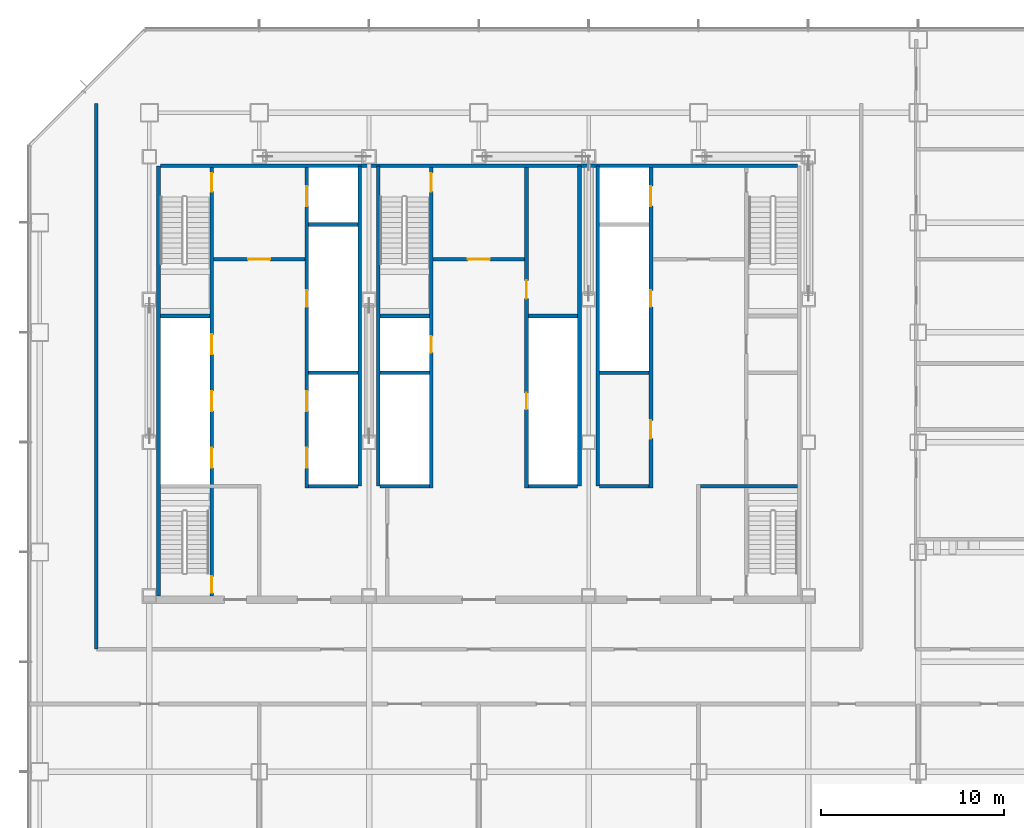
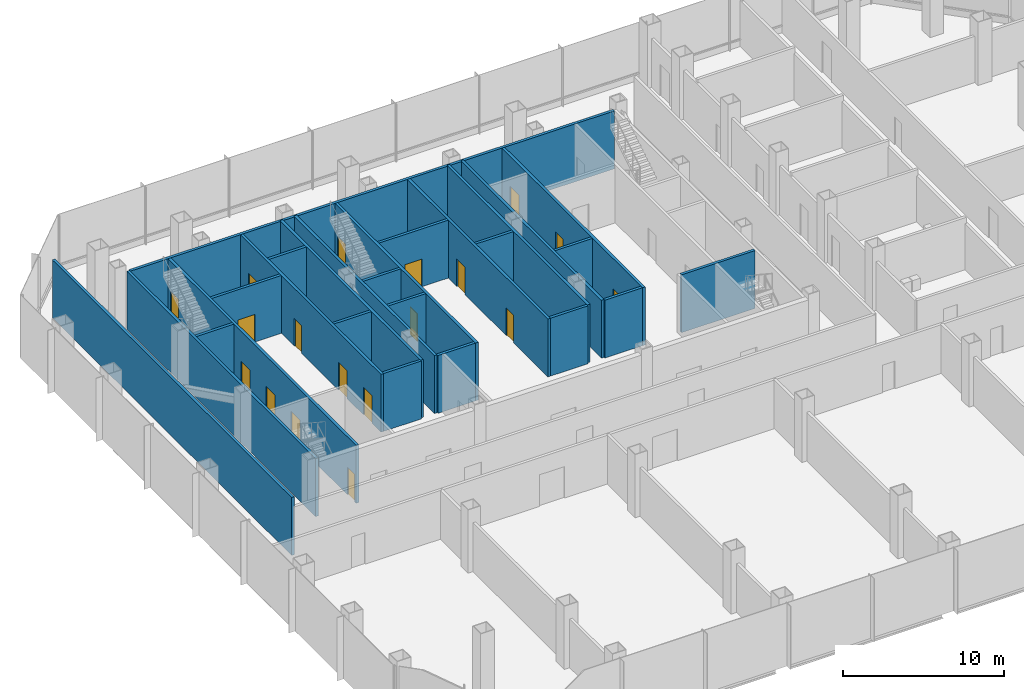
# One storey, part 24 of 33: 26 walls, 18 doors, 18 openings.
"""IFC4 building model written with IfcOpenShell, lengths in metres."""

import ifcopenshell
import ifcopenshell.guid

model = None  # the IFC model being written
_history = None  # IfcOwnerHistory: only IFC2X3 demands one
_inside = {}  # id of a spatial element -> (the spatial element, [elements in it])
_under = {}  # id of a project, library or spatial element -> (it, [spatial elements below it])
_declared = {}  # id of a project -> (the project, [libraries it declares])
_typed = {}  # id of a type object -> (the type object, [elements of that type])
_made_of = {}  # id of a material, layer set ... -> (it, [elements and type objects made of it])


def new_model(schema):
    """Start an empty IFC model of exactly this schema.

    Asked for "IFC4X3", IfcOpenShell would pick the latest addendum, in which some entities
    have other attributes; the version numbers below select the first issue.
    IFC2X3 requires an IfcOwnerHistory on every rooted entity: one is made here for all.
    """
    global model, _history
    if schema == "IFC4X3":
        model = ifcopenshell.file(schema_version=(4, 3, 0, 0))
    else:
        model = ifcopenshell.file(schema=schema)
    _inside.clear()
    _under.clear()
    _declared.clear()
    _typed.clear()
    _made_of.clear()
    _history = None
    if model.schema == "IFC2X3":
        org = make("IfcOrganization", Name="unknown")
        user = make(
            "IfcPersonAndOrganization",
            ThePerson=make("IfcPerson", FamilyName="unknown"),
            TheOrganization=org,
        )
        app = make(
            "IfcApplication",
            ApplicationDeveloper=org,
            Version="unknown",
            ApplicationFullName="unknown",
            ApplicationIdentifier="unknown",
        )
        _history = make(
            "IfcOwnerHistory",
            OwningUser=user,
            OwningApplication=app,
            ChangeAction="ADDED",
            CreationDate=0,
        )
    return model


def make(cls, **values):
    """One entity of the class cls with the attributes given. An attribute that is None is left unset."""
    return model.create_entity(
        cls, **{name: value for name, value in values.items() if value is not None}
    )


def rooted(cls, **values):
    """An entity with a GlobalId (a new one), such as an element, a storey or a relation."""
    return make(cls, GlobalId=ifcopenshell.guid.new(), OwnerHistory=_history, **values)


def si_unit(unit_type, name, prefix=None):
    """IfcSIUnit, for example si_unit("LENGTHUNIT", "METRE", prefix="MILLI")."""
    return make("IfcSIUnit", UnitType=unit_type, Prefix=prefix, Name=name)


def assignment(units):
    """IfcUnitAssignment: the units of a project."""
    return None if units is None else make("IfcUnitAssignment", Units=units)


def point(xyz):
    """IfcCartesianPoint."""
    return None if xyz is None else make("IfcCartesianPoint", Coordinates=xyz)


def direction(xyz):
    """IfcDirection."""
    return None if xyz is None else make("IfcDirection", DirectionRatios=xyz)


def frame(location, z_axis=None, x_axis=None):
    """IfcAxis2Placement3D, a coordinate frame: its origin and axes. An axis left out is left unset."""
    return make(
        "IfcAxis2Placement3D",
        Location=point(location),
        Axis=direction(z_axis),
        RefDirection=direction(x_axis),
    )


def frame_2d(location, x_axis=None):
    """IfcAxis2Placement2D, a coordinate frame in the plane: its origin and x axis."""
    return make(
        "IfcAxis2Placement2D", Location=point(location), RefDirection=direction(x_axis)
    )


def origin():
    """The frame at (0, 0, 0) with its axes left unset."""
    return frame((0.0, 0.0, 0.0))


def place(relative_to, where):
    """IfcLocalPlacement: puts the frame where relative to a parent placement (None: the world)."""
    return make(
        "IfcLocalPlacement", PlacementRelTo=relative_to, RelativePlacement=where
    )


def context(
    kind, dimensions, precision=None, world=None, true_north=None, identifier=None
):
    """IfcGeometricRepresentationContext, for example the 3D "Model" context."""
    return make(
        "IfcGeometricRepresentationContext",
        ContextIdentifier=identifier,
        ContextType=kind,
        CoordinateSpaceDimension=dimensions,
        Precision=precision,
        WorldCoordinateSystem=world,
        TrueNorth=true_north,
    )


def subcontext(parent, identifier, kind, view, scale=None):
    """IfcGeometricRepresentationSubContext, for example "Body" below "Model"."""
    return make(
        "IfcGeometricRepresentationSubContext",
        ContextIdentifier=identifier,
        ContextType=kind,
        ParentContext=parent,
        TargetScale=scale,
        TargetView=view,
    )


def project(units=None, contexts=None):
    """IfcProject with its units and contexts."""
    return rooted(
        "IfcProject",
        Name="project",
        RepresentationContexts=contexts,
        UnitsInContext=assignment(units),
    )


def spatial(cls, under=None, at=None, **own):
    """A site, building, storey or space (cls), placed at a placement, below another one or the project."""
    s = rooted(cls, ObjectPlacement=at, **own)
    if under is not None:
        _under.setdefault(under.id(), (under, []))[1].append(s)
    return s


def profile(cls, at=None, kind="AREA", **sizes):
    """A parametric profile (cls). Its sizes go by their IFC names, for example OverallWidth=200.0."""
    return make(cls, ProfileType=kind, Position=at, **sizes)


def rectangle(**sizes):
    """IfcRectangleProfileDef."""
    return profile("IfcRectangleProfileDef", **sizes)


def extrude(swept, where, along, depth):
    """IfcExtrudedAreaSolid: the profile swept, set in the frame where, extruded along a direction by depth."""
    return make(
        "IfcExtrudedAreaSolid",
        SweptArea=swept,
        Position=where,
        ExtrudedDirection=direction(along),
        Depth=depth,
    )


def shape(context_of_items, identifier, shape_type, items):
    """IfcShapeRepresentation: the items that make up one representation, for example the "Body"."""
    return make(
        "IfcShapeRepresentation",
        ContextOfItems=context_of_items,
        RepresentationIdentifier=identifier,
        RepresentationType=shape_type,
        Items=items,
    )


def material(Name=None, Category=None):
    """IfcMaterial."""
    return make("IfcMaterial", Name=Name, Category=Category)


def layer(
    of_material, thickness, ventilated=None, Name=None, Category=None, Priority=None
):
    """IfcMaterialLayer: one layer of a wall or slab, of a material (None: an air gap)."""
    return make(
        "IfcMaterialLayer",
        Material=of_material,
        LayerThickness=thickness,
        IsVentilated=ventilated,
        Name=Name,
        Category=Category,
        Priority=Priority,
    )


def layer_set(layers, Name=None):
    """IfcMaterialLayerSet."""
    return make("IfcMaterialLayerSet", MaterialLayers=layers, LayerSetName=Name)


def made_of(thing, what):
    """Note that an element or type object is made of a material, layer set ...; save() writes the relation."""
    if what is not None:
        _made_of.setdefault(what.id(), (what, []))[1].append(thing)
    return thing


def type_object(cls, material=None, **own):
    """A type object (cls), such as IfcWallType, which elements share."""
    return made_of(rooted(cls, **own), material)


def element(
    cls,
    number,
    at=None,
    inside=None,
    cuts=None,
    type_object=None,
    material=None,
    context=None,
    identifier="Body",
    shape_type=None,
    held_by="IfcProductDefinitionShape",
    body=None,
    shapes=None,
    **own,
):
    """One element of the class cls, such as IfcWall. Its Tag is "e" and its number.

    at: its placement. inside: the storey or other place that contains it. cuts: it is an
    opening in that element (IfcRelVoidsElement). A single representation is given by context,
    identifier, shape_type and body (its items); several are given by shapes. held_by: the class
    of the entity that holds the representations. save() writes the other relations.
    """
    e = rooted(cls, Tag="e%d" % number, ObjectPlacement=at, **own)
    if body is not None:
        shapes = [shape(context, identifier, shape_type, body)]
    if shapes is not None:
        e.Representation = make(held_by, Representations=shapes)
    if inside is not None:
        _inside.setdefault(inside.id(), (inside, []))[1].append(e)
    if cuts is not None:
        rooted(
            "IfcRelVoidsElement", RelatingBuildingElement=cuts, RelatedOpeningElement=e
        )
    if type_object is not None:
        _typed.setdefault(type_object.id(), (type_object, []))[1].append(e)
    return made_of(e, material)


def fill(opening, filler):
    """IfcRelFillsElement: the door or window that sits in an opening."""
    return rooted(
        "IfcRelFillsElement",
        RelatingOpeningElement=opening,
        RelatedBuildingElement=filler,
    )


def aggregate(whole, parts):
    """IfcRelAggregates: a whole, such as a stair, and the parts it consists of."""
    return rooted("IfcRelAggregates", RelatingObject=whole, RelatedObjects=parts)


def save(model, path):
    """Write the relations noted so far, then the file.

    IfcRelAggregates (storeys below a building ...), IfcRelContainedInSpatialStructure (elements
    in a storey), IfcRelDefinesByType, IfcRelAssociatesMaterial and IfcRelDeclares: one each for
    every whole, place, type object, material and project.
    """
    for whole, parts in _under.values():
        aggregate(whole, parts)
    for where, things in _inside.values():
        rooted(
            "IfcRelContainedInSpatialStructure",
            RelatedElements=things,
            RelatingStructure=where,
        )
    for kind, things in _typed.values():
        rooted("IfcRelDefinesByType", RelatedObjects=things, RelatingType=kind)
    for what, things in _made_of.values():
        rooted("IfcRelAssociatesMaterial", RelatedObjects=things, RelatingMaterial=what)
    for by, libraries in _declared.values():
        rooted("IfcRelDeclares", RelatingContext=by, RelatedDefinitions=libraries)
    model.write(path)


model = new_model("IFC4")

# Units and contexts
model_context = context("Model", 3, precision=1e-05, world=origin(), true_north=direction((0.0, 1.0)))
body_context = subcontext(model_context, "Body", "Model", "MODEL_VIEW")
ifc_project = project(units=[si_unit("LENGTHUNIT", "METRE"), si_unit("AREAUNIT", "SQUARE_METRE"), si_unit("VOLUMEUNIT", "CUBIC_METRE"), si_unit("PLANEANGLEUNIT", "RADIAN"), si_unit("MASSUNIT", "GRAM", prefix="KILO")], contexts=[model_context])

# Site, building, storey
site_placement = place(None, origin())
site = spatial("IfcSite", under=ifc_project, at=site_placement, CompositionType="ELEMENT")
building_placement = place(site_placement, origin())
building = spatial("IfcBuilding", under=site, at=building_placement, Name="Sorahane Residences", CompositionType="ELEMENT")
storey_placement = place(building_placement, frame((0.0, 0.0, 34.800048828125)))
storey = spatial("IfcBuildingStorey", under=building, at=storey_placement, Name="L05", CompositionType="ELEMENT", Elevation=34.800048828125)

# Walls
ifc_material_1 = material(Name="Concrete C30", Category="concrete")
ifc_layer_1 = layer(ifc_material_1, 0.199951171875)
ifc_layer_set_1 = layer_set([ifc_layer_1], Name="Core face wall 200 EI 180")
wall_type_1 = type_object("IfcWallType", Name="Core face wall 200 EI 180", PredefinedType="SOLIDWALL", material=ifc_layer_set_1)
wall_1_placement = place(storey_placement, frame((6.5, 21.60009765625, 0.0), z_axis=(0.0, 0.0, 1.0), x_axis=(0.0, 1.0, 0.0)))
element("IfcWall", 1, at=wall_1_placement, inside=storey, type_object=wall_type_1, Name="L05 core face wall", PredefinedType="SOLIDWALL", context=body_context, shape_type="SweptSolid", body=[
    extrude(rectangle(XDim=23.5, YDim=0.199951171875, at=frame_2d((11.75, 0.0))), origin(), (0.0, 0.0, 1.0), 4.39990234375),
])
wall_2_placement = place(storey_placement, frame((6.60009765625, 45.10009765625, 0.0), z_axis=(0.0, 0.0, 1.0), x_axis=(1.0, 0.0, 0.0)))
element("IfcWall", 2, at=wall_2_placement, inside=storey, type_object=wall_type_1, Name="L05 core face wall", PredefinedType="SOLIDWALL", context=body_context, shape_type="SweptSolid", body=[
    extrude(rectangle(XDim=34.7998046875, YDim=0.199951171875, at=frame_2d((17.39990234375, 0.0))), origin(), (0.0, 0.0, 1.0), 4.39990234375),
])
for number, where, z_axis, x_axis, name in (
    (3, (17.5, 27.60009765625, 0.0), (0.0, 0.0, 1.0), (0.0, 1.0, 0.0), "L05 core face wall"),
    (4, (18.5, 27.60009765625, 0.0), (0.0, 0.0, 1.0), (0.0, 1.0, 0.0), "L05 core face wall"),
    (5, (29.5, 27.60009765625, 0.0), (0.0, 0.0, 1.0), (0.0, 1.0, 0.0), "L05 core face wall"),
    (6, (30.5, 27.60009765625, 0.0), (0.0, 0.0, 1.0), (0.0, 1.0, 0.0), "L05 core face wall"),
):
    element("IfcWall", number, at=place(storey_placement, frame(where, z_axis=z_axis, x_axis=x_axis)), inside=storey, type_object=wall_type_1, Name=name, PredefinedType="SOLIDWALL", context=body_context, shape_type="SweptSolid", body=[
        extrude(rectangle(XDim=17.5, YDim=0.199951171875, at=frame_2d((8.75, 0.0))), origin(), (0.0, 0.0, 1.0), 4.39990234375),
    ])
ifc_material_2 = material(Name="Concrete blockwork C20 wall", Category="masonry")
ifc_layer_2 = layer(ifc_material_2, 0.199951171875)
ifc_layer_set_2 = layer_set([ifc_layer_2], Name="Corridor wall 200 EI 120")
wall_type_2 = type_object("IfcWallType", Name="Corridor wall 200 EI 120", PredefinedType="SOLIDWALL", material=ifc_layer_set_2)
wall_3_placement = place(storey_placement, frame((3.10009765625, 18.699951171875, 0.0), z_axis=(0.0, 0.0, 1.0), x_axis=(0.0, 1.0, 0.0)))
element("IfcWall", 7, at=wall_3_placement, inside=storey, type_object=wall_type_2, Name="L05 corridor wall", PredefinedType="SOLIDWALL", context=body_context, shape_type="SweptSolid", body=[
    extrude(rectangle(XDim=29.800048828125, YDim=0.199951171875, at=frame_2d((14.89990234375, 0.0))), origin(), (0.0, 0.0, 1.0), 4.39990234375),
])

# Wall, opening, door
ifc_material_3 = material(Name="Concrete C30", Category="concrete")
ifc_layer_3 = layer(ifc_material_3, 0.199951171875)
ifc_layer_set_3 = layer_set([ifc_layer_3], Name="Front room wall 200 EI 120")
wall_type_3 = type_object("IfcWallType", Name="Front room wall 200 EI 120", PredefinedType="PARTITIONING", material=ifc_layer_set_3)
wall_4_placement = place(storey_placement, frame((21.5, 40.0, 0.0), z_axis=(0.0, 0.0, 1.0), x_axis=(1.0, 0.0, 0.0)))
wall_4 = element("IfcWall", 8, at=wall_4_placement, inside=storey, type_object=wall_type_3, Name="L05 front room wall", PredefinedType="PARTITIONING", context=body_context, shape_type="SweptSolid", body=[
    extrude(rectangle(XDim=5.0, YDim=0.199951171875, at=frame_2d((2.5, 0.0))), origin(), (0.0, 0.0, 1.0), 4.39990234375),
])
opening_1_placement = place(wall_4_placement, frame((1.89990234375, 0.0, 0.0)))
opening_1 = element("IfcOpeningElement", 9, at=opening_1_placement, cuts=wall_4, Name="Opening L05-C08", PredefinedType="OPENING", context=body_context, shape_type="SweptSolid", body=[
    extrude(rectangle(XDim=1.199951171875, YDim=2.10009765625, at=frame_2d((0.60009765625, 1.050048828125))), frame((0.0, 0.10986328125, 0.0), z_axis=(0.0, -1.0, 0.0), x_axis=(1.0, 0.0, 0.0)), (0.0, 0.0, 1.0), 0.219970703125),
])
ifc_material_4 = material(Name="Steel", Category="steel")
door_type_1 = type_object("IfcDoorType", Name="Front room door 1200x2100 FD120", OperationType="NOTDEFINED", PredefinedType="DOOR", material=ifc_material_4)
door_1_placement = place(opening_1_placement, frame((1.199951171875, 0.0, 0.0), z_axis=(0.0, 0.0, 1.0), x_axis=(-1.0, 0.0, 0.0)))
door_1 = element("IfcDoor", 10, at=door_1_placement, inside=storey, type_object=door_type_1, Name="Front room door Stair S3 vestibule L05", OperationType="DOUBLE_DOOR_SINGLE_SWING", OverallHeight=2.10009765625, OverallWidth=1.199951171875, PredefinedType="DOOR", context=body_context, shape_type="SweptSolid", body=[
    extrude(rectangle(XDim=1.199951171875, YDim=2.10009765625, at=frame_2d((0.60009765625, 1.050048828125))), frame((0.0, 0.02490234375, 0.0), z_axis=(0.0, -1.0, 0.0), x_axis=(1.0, 0.0, 0.0)), (0.0, 0.0, 1.0), 0.050048828125),
])
fill(opening_1, door_1)

wall_5_placement = place(storey_placement, frame((9.5, 40.0, 0.0), z_axis=(0.0, 0.0, 1.0), x_axis=(1.0, 0.0, 0.0)))
wall_5 = element("IfcWall", 11, at=wall_5_placement, inside=storey, type_object=wall_type_3, Name="L05 front room wall", PredefinedType="PARTITIONING", context=body_context, shape_type="SweptSolid", body=[
    extrude(rectangle(XDim=5.0, YDim=0.199951171875, at=frame_2d((2.5, 0.0))), origin(), (0.0, 0.0, 1.0), 4.39990234375),
])
opening_2_placement = place(wall_5_placement, frame((1.89990234375, 0.0, 0.0)))
opening_2 = element("IfcOpeningElement", 12, at=opening_2_placement, cuts=wall_5, Name="Opening L05-C07", PredefinedType="OPENING", context=body_context, shape_type="SweptSolid", body=[
    extrude(rectangle(XDim=1.199951171875, YDim=2.10009765625, at=frame_2d((0.60009765625, 1.050048828125))), frame((0.0, 0.10986328125, 0.0), z_axis=(0.0, -1.0, 0.0), x_axis=(1.0, 0.0, 0.0)), (0.0, 0.0, 1.0), 0.219970703125),
])
door_2_placement = place(opening_2_placement, frame((1.199951171875, 0.0, 0.0), z_axis=(0.0, 0.0, 1.0), x_axis=(-1.0, 0.0, 0.0)))
door_2 = element("IfcDoor", 13, at=door_2_placement, inside=storey, type_object=door_type_1, Name="Front room door Firefighting lobby FF1 front room L05", OperationType="DOUBLE_DOOR_SINGLE_SWING", OverallHeight=2.10009765625, OverallWidth=1.199951171875, PredefinedType="DOOR", context=body_context, shape_type="SweptSolid", body=[
    extrude(rectangle(XDim=1.199951171875, YDim=2.10009765625, at=frame_2d((0.60009765625, 1.050048828125))), frame((0.0, 0.02490234375, 0.0), z_axis=(0.0, -1.0, 0.0), x_axis=(1.0, 0.0, 0.0)), (0.0, 0.0, 1.0), 0.050048828125),
])
fill(opening_2, door_2)

# Wall, openings, doors
ifc_material_5 = material(Name="Concrete C30", Category="concrete")
ifc_layer_4 = layer(ifc_material_5, 0.199951171875)
ifc_layer_set_4 = layer_set([ifc_layer_4], Name="Lift shaft wall 200 EI 120")
wall_type_4 = type_object("IfcWallType", Name="Lift shaft wall 200 EI 120", PredefinedType="SOLIDWALL", material=ifc_layer_set_4)
wall_6_placement = place(storey_placement, frame((14.60009765625, 27.5, 0.0), z_axis=(0.0, 0.0, 1.0), x_axis=(0.0, 1.0, 0.0)))
wall_6 = element("IfcWall", 14, at=wall_6_placement, inside=storey, type_object=wall_type_4, Name="L05 lift shaft wall", PredefinedType="SOLIDWALL", context=body_context, shape_type="SweptSolid", body=[
    extrude(rectangle(XDim=17.5, YDim=0.199951171875, at=frame_2d((8.75, 0.0))), origin(), (0.0, 0.0, 1.0), 4.39990234375),
])
opening_3_placement = place(wall_6_placement, frame((1.10009765625, 0.0, 0.0)))
opening_3 = element("IfcOpeningElement", 15, at=opening_3_placement, cuts=wall_6, Name="Opening L05-C11", PredefinedType="OPENING", context=body_context, shape_type="SweptSolid", body=[
    extrude(rectangle(XDim=1.10009765625, YDim=2.10009765625, at=frame_2d((0.550048828125, 1.050048828125))), frame((0.0, 0.10986328125, 0.0), z_axis=(0.0, -1.0, 0.0), x_axis=(1.0, 0.0, 0.0)), (0.0, 0.0, 1.0), 0.219970703125),
])
opening_4_placement = place(wall_6_placement, frame((4.199951171875, 0.0, 0.0)))
opening_4 = element("IfcOpeningElement", 16, at=opening_4_placement, cuts=wall_6, Name="Opening L05-C12", PredefinedType="OPENING", context=body_context, shape_type="SweptSolid", body=[
    extrude(rectangle(XDim=1.10009765625, YDim=2.10009765625, at=frame_2d((0.550048828125, 1.050048828125))), frame((0.0, 0.10986328125, 0.0), z_axis=(0.0, -1.0, 0.0), x_axis=(1.0, 0.0, 0.0)), (0.0, 0.0, 1.0), 0.219970703125),
])
opening_5_placement = place(wall_6_placement, frame((15.39990234375, 0.0, 0.0)))
opening_5 = element("IfcOpeningElement", 17, at=opening_5_placement, cuts=wall_6, Name="Opening L05-C13", PredefinedType="OPENING", context=body_context, shape_type="SweptSolid", body=[
    extrude(rectangle(XDim=1.10009765625, YDim=2.10009765625, at=frame_2d((0.550048828125, 1.050048828125))), frame((0.0, 0.10986328125, 0.0), z_axis=(0.0, -1.0, 0.0), x_axis=(1.0, 0.0, 0.0)), (0.0, 0.0, 1.0), 0.219970703125),
])
opening_6_placement = place(wall_6_placement, frame((9.89990234375, 0.0, 0.0)))
opening_6 = element("IfcOpeningElement", 18, at=opening_6_placement, cuts=wall_6, Name="Opening L05-C25", PredefinedType="OPENING", context=body_context, shape_type="SweptSolid", body=[
    extrude(rectangle(XDim=0.89990234375, YDim=2.10009765625, at=frame_2d((0.449951171875, 1.050048828125))), frame((0.0, 0.10986328125, 0.0), z_axis=(0.0, -1.0, 0.0), x_axis=(1.0, 0.0, 0.0)), (0.0, 0.0, 1.0), 0.219970703125),
])
ifc_material_6 = material(Name="Aluminium and stainless steel", Category="steel")
door_type_2 = type_object("IfcDoorType", Name="Lift landing door 1100x2100 E 60", OperationType="NOTDEFINED", PredefinedType="DOOR", material=ifc_material_6)
door_3_placement = place(opening_3_placement, origin())
door_3 = element("IfcDoor", 19, at=door_3_placement, inside=storey, type_object=door_type_2, Name="Lift landing door LR4 L05", OperationType="DOUBLE_DOOR_SLIDING", OverallHeight=2.10009765625, OverallWidth=1.10009765625, PredefinedType="DOOR", context=body_context, shape_type="SweptSolid", body=[
    extrude(rectangle(XDim=1.10009765625, YDim=2.10009765625, at=frame_2d((0.550048828125, 1.050048828125))), frame((0.0, 0.02490234375, 0.0), z_axis=(0.0, -1.0, 0.0), x_axis=(1.0, 0.0, 0.0)), (0.0, 0.0, 1.0), 0.050048828125),
])
fill(opening_3, door_3)
door_4_placement = place(opening_4_placement, origin())
door_4 = element("IfcDoor", 20, at=door_4_placement, inside=storey, type_object=door_type_2, Name="Lift landing door LR5 L05", OperationType="DOUBLE_DOOR_SLIDING", OverallHeight=2.10009765625, OverallWidth=1.10009765625, PredefinedType="DOOR", context=body_context, shape_type="SweptSolid", body=[
    extrude(rectangle(XDim=1.10009765625, YDim=2.10009765625, at=frame_2d((0.550048828125, 1.050048828125))), frame((0.0, 0.02490234375, 0.0), z_axis=(0.0, -1.0, 0.0), x_axis=(1.0, 0.0, 0.0)), (0.0, 0.0, 1.0), 0.050048828125),
])
fill(opening_4, door_4)
door_5_placement = place(opening_5_placement, origin())
door_5 = element("IfcDoor", 21, at=door_5_placement, inside=storey, type_object=door_type_2, Name="Lift landing door FF1 L05", OperationType="DOUBLE_DOOR_SLIDING", OverallHeight=2.10009765625, OverallWidth=1.10009765625, PredefinedType="DOOR", context=body_context, shape_type="SweptSolid", body=[
    extrude(rectangle(XDim=1.10009765625, YDim=2.10009765625, at=frame_2d((0.550048828125, 1.050048828125))), frame((0.0, 0.02490234375, 0.0), z_axis=(0.0, -1.0, 0.0), x_axis=(1.0, 0.0, 0.0)), (0.0, 0.0, 1.0), 0.050048828125),
])
fill(opening_5, door_5)
ifc_material_7 = material(Name="Steel", Category="steel")
door_type_3 = type_object("IfcDoorType", Name="Riser door 900x2100 FD120", OperationType="NOTDEFINED", PredefinedType="DOOR", material=ifc_material_7)
door_6_placement = place(opening_6_placement, origin())
door_6 = element("IfcDoor", 22, at=door_6_placement, inside=storey, type_object=door_type_3, Name="Riser door R1 L05", OperationType="SINGLE_SWING_LEFT", OverallHeight=2.10009765625, OverallWidth=0.89990234375, PredefinedType="DOOR", context=body_context, shape_type="SweptSolid", body=[
    extrude(rectangle(XDim=0.89990234375, YDim=2.10009765625, at=frame_2d((0.449951171875, 1.050048828125))), frame((0.0, 0.02490234375, 0.0), z_axis=(0.0, -1.0, 0.0), x_axis=(1.0, 0.0, 0.0)), (0.0, 0.0, 1.0), 0.050048828125),
])
fill(opening_6, door_6)

wall_7_placement = place(storey_placement, frame((33.39990234375, 27.5, 0.0), z_axis=(0.0, 0.0, 1.0), x_axis=(0.0, 1.0, 0.0)))
wall_7 = element("IfcWall", 23, at=wall_7_placement, inside=storey, type_object=wall_type_4, Name="L05 lift shaft wall", PredefinedType="SOLIDWALL", context=body_context, shape_type="SweptSolid", body=[
    extrude(rectangle(XDim=17.5, YDim=0.199951171875, at=frame_2d((8.75, 0.0))), origin(), (0.0, 0.0, 1.0), 4.39990234375),
])
opening_7_placement = place(wall_7_placement, frame((15.39990234375, 0.0, 0.0)))
opening_7 = element("IfcOpeningElement", 24, at=opening_7_placement, cuts=wall_7, Name="Opening L05-C10", PredefinedType="OPENING", context=body_context, shape_type="SweptSolid", body=[
    extrude(rectangle(XDim=1.10009765625, YDim=2.10009765625, at=frame_2d((0.550048828125, 1.050048828125))), frame((0.0, 0.10986328125, 0.0), z_axis=(0.0, -1.0, 0.0), x_axis=(1.0, 0.0, 0.0)), (0.0, 0.0, 1.0), 0.219970703125),
])
opening_8_placement = place(wall_7_placement, frame((2.699951171875, 0.0, 0.0)))
opening_8 = element("IfcOpeningElement", 25, at=opening_8_placement, cuts=wall_7, Name="Opening L05-C19", PredefinedType="OPENING", context=body_context, shape_type="SweptSolid", body=[
    extrude(rectangle(XDim=1.0, YDim=2.10009765625, at=frame_2d((0.5, 1.050048828125))), frame((0.0, 0.10986328125, 0.0), z_axis=(0.0, -1.0, 0.0), x_axis=(1.0, 0.0, 0.0)), (0.0, 0.0, 1.0), 0.219970703125),
])
opening_9_placement = place(wall_7_placement, frame((9.89990234375, 0.0, 0.0)))
opening_9 = element("IfcOpeningElement", 26, at=opening_9_placement, cuts=wall_7, Name="Opening L05-C26", PredefinedType="OPENING", context=body_context, shape_type="SweptSolid", body=[
    extrude(rectangle(XDim=0.89990234375, YDim=2.10009765625, at=frame_2d((0.449951171875, 1.050048828125))), frame((0.0, 0.10986328125, 0.0), z_axis=(0.0, -1.0, 0.0), x_axis=(1.0, 0.0, 0.0)), (0.0, 0.0, 1.0), 0.219970703125),
])
door_7_placement = place(opening_7_placement, origin())
door_7 = element("IfcDoor", 27, at=door_7_placement, inside=storey, type_object=door_type_2, Name="Lift landing door FF2 L05", OperationType="DOUBLE_DOOR_SLIDING", OverallHeight=2.10009765625, OverallWidth=1.10009765625, PredefinedType="DOOR", context=body_context, shape_type="SweptSolid", body=[
    extrude(rectangle(XDim=1.10009765625, YDim=2.10009765625, at=frame_2d((0.550048828125, 1.050048828125))), frame((0.0, 0.02490234375, 0.0), z_axis=(0.0, -1.0, 0.0), x_axis=(1.0, 0.0, 0.0)), (0.0, 0.0, 1.0), 0.050048828125),
])
fill(opening_7, door_7)
door_8_placement = place(opening_9_placement, frame((0.89990234375, 0.0, 0.0), z_axis=(0.0, 0.0, 1.0), x_axis=(-1.0, 0.0, 0.0)))
door_8 = element("IfcDoor", 28, at=door_8_placement, inside=storey, type_object=door_type_3, Name="Riser door R2 L05", OperationType="SINGLE_SWING_LEFT", OverallHeight=2.10009765625, OverallWidth=0.89990234375, PredefinedType="DOOR", context=body_context, shape_type="SweptSolid", body=[
    extrude(rectangle(XDim=0.89990234375, YDim=2.10009765625, at=frame_2d((0.449951171875, 1.050048828125))), frame((0.0, 0.02490234375, 0.0), z_axis=(0.0, -1.0, 0.0), x_axis=(1.0, 0.0, 0.0)), (0.0, 0.0, 1.0), 0.050048828125),
])
fill(opening_9, door_8)
ifc_material_8 = material(Name="Steel", Category="steel")
door_type_4 = type_object("IfcDoorType", Name="Service room door 1000x2100 FD60", OperationType="NOTDEFINED", PredefinedType="DOOR", material=ifc_material_8)
door_9_placement = place(opening_8_placement, origin())
door_9 = element("IfcDoor", 29, at=door_9_placement, inside=storey, type_object=door_type_4, Name="Service room door Study L05", OperationType="SINGLE_SWING_RIGHT", OverallHeight=2.10009765625, OverallWidth=1.0, PredefinedType="DOOR", context=body_context, shape_type="SweptSolid", body=[
    extrude(rectangle(XDim=1.0, YDim=2.10009765625, at=frame_2d((0.5, 1.050048828125))), frame((0.0, 0.02490234375, 0.0), z_axis=(0.0, -1.0, 0.0), x_axis=(1.0, 0.0, 0.0)), (0.0, 0.0, 1.0), 0.050048828125),
])
fill(opening_8, door_9)

# Walls
for number, where, z_axis, x_axis, name in (
    (30, (14.699951171875, 27.60009765625, 0.0), (0.0, 0.0, 1.0), (1.0, 0.0, 0.0), "L05 lift shaft wall"),
    (31, (18.60009765625, 27.60009765625, 0.0), (0.0, 0.0, 1.0), (1.0, 0.0, 0.0), "L05 lift shaft wall"),
    (32, (14.699951171875, 33.800048828125, 0.0), (0.0, 0.0, 1.0), (1.0, 0.0, 0.0), "L05 lift shaft wall"),
    (33, (18.60009765625, 33.800048828125, 0.0), (0.0, 0.0, 1.0), (1.0, 0.0, 0.0), "L05 lift shaft wall"),
    (34, (14.699951171875, 41.89990234375, 0.0), (0.0, 0.0, 1.0), (1.0, 0.0, 0.0), "L05 lift shaft wall"),
):
    element("IfcWall", number, at=place(storey_placement, frame(where, z_axis=z_axis, x_axis=x_axis)), inside=storey, type_object=wall_type_4, Name=name, PredefinedType="SOLIDWALL", context=body_context, shape_type="SweptSolid", body=[
        extrude(rectangle(XDim=2.699951171875, YDim=0.199951171875, at=frame_2d((1.35009765625, 0.0))), origin(), (0.0, 0.0, 1.0), 4.39990234375),
    ])

# Wall, openings, doors
ifc_material_9 = material(Name="Concrete C30", Category="concrete")
ifc_layer_5 = layer(ifc_material_9, 0.199951171875)
ifc_layer_set_5 = layer_set([ifc_layer_5], Name="Riser shaft wall 200 EI 120")
wall_type_5 = type_object("IfcWallType", Name="Riser shaft wall 200 EI 120", PredefinedType="SOLIDWALL", material=ifc_layer_set_5)
wall_8_placement = place(storey_placement, frame((26.60009765625, 27.5, 0.0), z_axis=(0.0, 0.0, 1.0), x_axis=(0.0, 1.0, 0.0)))
wall_8 = element("IfcWall", 35, at=wall_8_placement, inside=storey, type_object=wall_type_5, Name="L05 riser wall", PredefinedType="SOLIDWALL", context=body_context, shape_type="SweptSolid", body=[
    extrude(rectangle(XDim=17.5, YDim=0.199951171875, at=frame_2d((8.75, 0.0))), origin(), (0.0, 0.0, 1.0), 4.39990234375),
])
opening_10_placement = place(wall_8_placement, frame((4.300048828125, 0.0, 0.0)))
opening_10 = element("IfcOpeningElement", 36, at=opening_10_placement, cuts=wall_8, Name="Opening L05-C28", PredefinedType="OPENING", context=body_context, shape_type="SweptSolid", body=[
    extrude(rectangle(XDim=0.89990234375, YDim=2.10009765625, at=frame_2d((0.449951171875, 1.050048828125))), frame((0.0, 0.10986328125, 0.0), z_axis=(0.0, -1.0, 0.0), x_axis=(1.0, 0.0, 0.0)), (0.0, 0.0, 1.0), 0.219970703125),
])
opening_11_placement = place(wall_8_placement, frame((10.35009765625, 0.0, 0.0)))
opening_11 = element("IfcOpeningElement", 37, at=opening_11_placement, cuts=wall_8, Name="Opening L05-C29", PredefinedType="OPENING", context=body_context, shape_type="SweptSolid", body=[
    extrude(rectangle(XDim=1.0, YDim=2.10009765625, at=frame_2d((0.5, 1.050048828125))), frame((0.0, 0.10986328125, 0.0), z_axis=(0.0, -1.0, 0.0), x_axis=(1.0, 0.0, 0.0)), (0.0, 0.0, 1.0), 0.219970703125),
])
door_10_placement = place(opening_10_placement, origin())
door_10 = element("IfcDoor", 38, at=door_10_placement, inside=storey, type_object=door_type_3, Name="Riser door R4 L05", OperationType="SINGLE_SWING_LEFT", OverallHeight=2.10009765625, OverallWidth=0.89990234375, PredefinedType="DOOR", context=body_context, shape_type="SweptSolid", body=[
    extrude(rectangle(XDim=0.89990234375, YDim=2.10009765625, at=frame_2d((0.449951171875, 1.050048828125))), frame((0.0, 0.02490234375, 0.0), z_axis=(0.0, -1.0, 0.0), x_axis=(1.0, 0.0, 0.0)), (0.0, 0.0, 1.0), 0.050048828125),
])
fill(opening_10, door_10)
door_11_placement = place(opening_11_placement, frame((1.0, 0.0, 0.0), z_axis=(0.0, 0.0, 1.0), x_axis=(-1.0, 0.0, 0.0)))
door_11 = element("IfcDoor", 39, at=door_11_placement, inside=storey, type_object=door_type_4, Name="Service room door Housekeeping store L05", OperationType="SINGLE_SWING_LEFT", OverallHeight=2.10009765625, OverallWidth=1.0, PredefinedType="DOOR", context=body_context, shape_type="SweptSolid", body=[
    extrude(rectangle(XDim=1.0, YDim=2.10009765625, at=frame_2d((0.5, 1.050048828125))), frame((0.0, 0.02490234375, 0.0), z_axis=(0.0, -1.0, 0.0), x_axis=(1.0, 0.0, 0.0)), (0.0, 0.0, 1.0), 0.050048828125),
])
fill(opening_11, door_11)

# Walls
for number, where, z_axis, x_axis, name in (
    (40, (26.699951171875, 27.60009765625, 0.0), (0.0, 0.0, 1.0), (1.0, 0.0, 0.0), "L05 riser wall"),
    (41, (30.60009765625, 33.800048828125, 0.0), (0.0, 0.0, 1.0), (1.0, 0.0, 0.0), "L05 riser wall"),
    (42, (26.699951171875, 36.89990234375, 0.0), (0.0, 0.0, 1.0), (1.0, 0.0, 0.0), "L05 riser wall"),
):
    element("IfcWall", number, at=place(storey_placement, frame(where, z_axis=z_axis, x_axis=x_axis)), inside=storey, type_object=wall_type_5, Name=name, PredefinedType="SOLIDWALL", context=body_context, shape_type="SweptSolid", body=[
        extrude(rectangle(XDim=2.699951171875, YDim=0.199951171875, at=frame_2d((1.35009765625, 0.0))), origin(), (0.0, 0.0, 1.0), 4.39990234375),
    ])
ifc_material_10 = material(Name="Concrete C30", Category="concrete")
ifc_layer_6 = layer(ifc_material_10, 0.199951171875)
ifc_layer_set_6 = layer_set([ifc_layer_6], Name="Service room partition 200 EI 60")
wall_type_6 = type_object("IfcWallType", Name="Service room partition 200 EI 60", PredefinedType="PARTITIONING", material=ifc_layer_set_6)
wall_9_placement = place(storey_placement, frame((30.60009765625, 27.60009765625, 0.0), z_axis=(0.0, 0.0, 1.0), x_axis=(1.0, 0.0, 0.0)))
element("IfcWall", 43, at=wall_9_placement, inside=storey, type_object=wall_type_6, Name="L05 service room wall", PredefinedType="PARTITIONING", context=body_context, shape_type="SweptSolid", body=[
    extrude(rectangle(XDim=2.699951171875, YDim=0.199951171875, at=frame_2d((1.35009765625, 0.0))), origin(), (0.0, 0.0, 1.0), 4.39990234375),
])

# Wall, openings, doors
ifc_material_11 = material(Name="Concrete C30", Category="concrete")
ifc_layer_7 = layer(ifc_material_11, 0.199951171875)
ifc_layer_set_7 = layer_set([ifc_layer_7], Name="Stair enclosure wall 200 EI 120")
wall_type_7 = type_object("IfcWallType", Name="Stair enclosure wall 200 EI 120", PredefinedType="SOLIDWALL", material=ifc_layer_set_7)
wall_10_placement = place(storey_placement, frame((21.39990234375, 27.5, 0.0), z_axis=(0.0, 0.0, 1.0), x_axis=(0.0, 1.0, 0.0)))
wall_10 = element("IfcWall", 44, at=wall_10_placement, inside=storey, type_object=wall_type_7, Name="L05 stair enclosure wall", PredefinedType="SOLIDWALL", context=body_context, shape_type="SweptSolid", body=[
    extrude(rectangle(XDim=17.5, YDim=0.199951171875, at=frame_2d((8.75, 0.0))), origin(), (0.0, 0.0, 1.0), 4.39990234375),
])
opening_12_placement = place(wall_10_placement, frame((16.199951171875, 0.0, 0.0)))
opening_12 = element("IfcOpeningElement", 45, at=opening_12_placement, cuts=wall_10, Name="Opening L05-C22", PredefinedType="OPENING", context=body_context, shape_type="SweptSolid", body=[
    extrude(rectangle(XDim=1.0, YDim=2.10009765625, at=frame_2d((0.5, 1.050048828125))), frame((0.0, 0.10986328125, 0.0), z_axis=(0.0, -1.0, 0.0), x_axis=(1.0, 0.0, 0.0)), (0.0, 0.0, 1.0), 0.219970703125),
])
opening_13_placement = place(wall_10_placement, frame((7.39990234375, 0.0, 0.0)))
opening_13 = element("IfcOpeningElement", 46, at=opening_13_placement, cuts=wall_10, Name="Opening L05-C27", PredefinedType="OPENING", context=body_context, shape_type="SweptSolid", body=[
    extrude(rectangle(XDim=0.89990234375, YDim=2.10009765625, at=frame_2d((0.449951171875, 1.050048828125))), frame((0.0, 0.10986328125, 0.0), z_axis=(0.0, -1.0, 0.0), x_axis=(1.0, 0.0, 0.0)), (0.0, 0.0, 1.0), 0.219970703125),
])
door_12_placement = place(opening_13_placement, frame((0.89990234375, 0.0, 0.0), z_axis=(0.0, 0.0, 1.0), x_axis=(-1.0, 0.0, 0.0)))
door_12 = element("IfcDoor", 47, at=door_12_placement, inside=storey, type_object=door_type_3, Name="Riser door R3 L05", OperationType="SINGLE_SWING_LEFT", OverallHeight=2.10009765625, OverallWidth=0.89990234375, PredefinedType="DOOR", context=body_context, shape_type="SweptSolid", body=[
    extrude(rectangle(XDim=0.89990234375, YDim=2.10009765625, at=frame_2d((0.449951171875, 1.050048828125))), frame((0.0, 0.02490234375, 0.0), z_axis=(0.0, -1.0, 0.0), x_axis=(1.0, 0.0, 0.0)), (0.0, 0.0, 1.0), 0.050048828125),
])
fill(opening_13, door_12)
ifc_material_12 = material(Name="Steel", Category="steel")
door_type_5 = type_object("IfcDoorType", Name="Stair door 1000x2100 FD120", OperationType="NOTDEFINED", PredefinedType="DOOR", material=ifc_material_12)
door_13_placement = place(opening_12_placement, origin())
door_13 = element("IfcDoor", 48, at=door_13_placement, inside=storey, type_object=door_type_5, Name="Stair door S3 L05", OperationType="SINGLE_SWING_LEFT", OverallHeight=2.10009765625, OverallWidth=1.0, PredefinedType="DOOR", context=body_context, shape_type="SweptSolid", body=[
    extrude(rectangle(XDim=1.0, YDim=2.10009765625, at=frame_2d((0.5, 1.050048828125))), frame((0.0, 0.02490234375, 0.0), z_axis=(0.0, -1.0, 0.0), x_axis=(1.0, 0.0, 0.0)), (0.0, 0.0, 1.0), 0.050048828125),
])
fill(opening_12, door_13)

wall_11_placement = place(storey_placement, frame((9.39990234375, 21.60009765625, 0.0), z_axis=(0.0, 0.0, 1.0), x_axis=(0.0, 1.0, 0.0)))
wall_11 = element("IfcWall", 49, at=wall_11_placement, inside=storey, type_object=wall_type_7, Name="L05 stair enclosure wall", PredefinedType="SOLIDWALL", context=body_context, shape_type="SweptSolid", body=[
    extrude(rectangle(XDim=23.39990234375, YDim=0.199951171875, at=frame_2d((11.699951171875, 0.0))), origin(), (0.0, 0.0, 1.0), 4.39990234375),
])
opening_14_placement = place(wall_11_placement, frame((7.0, 0.0, 0.0)))
opening_14 = element("IfcOpeningElement", 50, at=opening_14_placement, cuts=wall_11, Name="Opening L05-C14", PredefinedType="OPENING", context=body_context, shape_type="SweptSolid", body=[
    extrude(rectangle(XDim=1.10009765625, YDim=2.10009765625, at=frame_2d((0.550048828125, 1.050048828125))), frame((0.0, 0.10986328125, 0.0), z_axis=(0.0, -1.0, 0.0), x_axis=(1.0, 0.0, 0.0)), (0.0, 0.0, 1.0), 0.219970703125),
])
opening_15_placement = place(wall_11_placement, frame((10.10009765625, 0.0, 0.0)))
opening_15 = element("IfcOpeningElement", 51, at=opening_15_placement, cuts=wall_11, Name="Opening L05-C15", PredefinedType="OPENING", context=body_context, shape_type="SweptSolid", body=[
    extrude(rectangle(XDim=1.10009765625, YDim=2.10009765625, at=frame_2d((0.550048828125, 1.050048828125))), frame((0.0, 0.10986328125, 0.0), z_axis=(0.0, -1.0, 0.0), x_axis=(1.0, 0.0, 0.0)), (0.0, 0.0, 1.0), 0.219970703125),
])
opening_16_placement = place(wall_11_placement, frame((13.199951171875, 0.0, 0.0)))
opening_16 = element("IfcOpeningElement", 52, at=opening_16_placement, cuts=wall_11, Name="Opening L05-C16", PredefinedType="OPENING", context=body_context, shape_type="SweptSolid", body=[
    extrude(rectangle(XDim=1.10009765625, YDim=2.10009765625, at=frame_2d((0.550048828125, 1.050048828125))), frame((0.0, 0.10986328125, 0.0), z_axis=(0.0, -1.0, 0.0), x_axis=(1.0, 0.0, 0.0)), (0.0, 0.0, 1.0), 0.219970703125),
])
opening_17_placement = place(wall_11_placement, frame((22.10009765625, 0.0, 0.0)))
opening_17 = element("IfcOpeningElement", 53, at=opening_17_placement, cuts=wall_11, Name="Opening L05-C20", PredefinedType="OPENING", context=body_context, shape_type="SweptSolid", body=[
    extrude(rectangle(XDim=1.0, YDim=2.10009765625, at=frame_2d((0.5, 1.050048828125))), frame((0.0, 0.10986328125, 0.0), z_axis=(0.0, -1.0, 0.0), x_axis=(1.0, 0.0, 0.0)), (0.0, 0.0, 1.0), 0.219970703125),
])
opening_18_placement = place(wall_11_placement, frame((0.175048828125, 0.0, 0.0)))
opening_18 = element("IfcOpeningElement", 54, at=opening_18_placement, cuts=wall_11, Name="Opening L05-C23", PredefinedType="OPENING", context=body_context, shape_type="SweptSolid", body=[
    extrude(rectangle(XDim=0.89990234375, YDim=2.10009765625, at=frame_2d((0.449951171875, 1.050048828125))), frame((0.0, 0.10986328125, 0.0), z_axis=(0.0, -1.0, 0.0), x_axis=(1.0, 0.0, 0.0)), (0.0, 0.0, 1.0), 0.219970703125),
])
door_14_placement = place(opening_14_placement, origin())
door_14 = element("IfcDoor", 55, at=door_14_placement, inside=storey, type_object=door_type_2, Name="Lift landing door LR1 L05", OperationType="DOUBLE_DOOR_SLIDING", OverallHeight=2.10009765625, OverallWidth=1.10009765625, PredefinedType="DOOR", context=body_context, shape_type="SweptSolid", body=[
    extrude(rectangle(XDim=1.10009765625, YDim=2.10009765625, at=frame_2d((0.550048828125, 1.050048828125))), frame((0.0, 0.02490234375, 0.0), z_axis=(0.0, -1.0, 0.0), x_axis=(1.0, 0.0, 0.0)), (0.0, 0.0, 1.0), 0.050048828125),
])
fill(opening_14, door_14)
door_15_placement = place(opening_15_placement, origin())
door_15 = element("IfcDoor", 56, at=door_15_placement, inside=storey, type_object=door_type_2, Name="Lift landing door LR2 L05", OperationType="DOUBLE_DOOR_SLIDING", OverallHeight=2.10009765625, OverallWidth=1.10009765625, PredefinedType="DOOR", context=body_context, shape_type="SweptSolid", body=[
    extrude(rectangle(XDim=1.10009765625, YDim=2.10009765625, at=frame_2d((0.550048828125, 1.050048828125))), frame((0.0, 0.02490234375, 0.0), z_axis=(0.0, -1.0, 0.0), x_axis=(1.0, 0.0, 0.0)), (0.0, 0.0, 1.0), 0.050048828125),
])
fill(opening_15, door_15)
door_16_placement = place(opening_16_placement, origin())
door_16 = element("IfcDoor", 57, at=door_16_placement, inside=storey, type_object=door_type_2, Name="Lift landing door LR3 L05", OperationType="DOUBLE_DOOR_SLIDING", OverallHeight=2.10009765625, OverallWidth=1.10009765625, PredefinedType="DOOR", context=body_context, shape_type="SweptSolid", body=[
    extrude(rectangle(XDim=1.10009765625, YDim=2.10009765625, at=frame_2d((0.550048828125, 1.050048828125))), frame((0.0, 0.02490234375, 0.0), z_axis=(0.0, -1.0, 0.0), x_axis=(1.0, 0.0, 0.0)), (0.0, 0.0, 1.0), 0.050048828125),
])
fill(opening_16, door_16)
door_17_placement = place(opening_17_placement, origin())
door_17 = element("IfcDoor", 58, at=door_17_placement, inside=storey, type_object=door_type_5, Name="Stair door S1 L05", OperationType="SINGLE_SWING_LEFT", OverallHeight=2.10009765625, OverallWidth=1.0, PredefinedType="DOOR", context=body_context, shape_type="SweptSolid", body=[
    extrude(rectangle(XDim=1.0, YDim=2.10009765625, at=frame_2d((0.5, 1.050048828125))), frame((0.0, 0.02490234375, 0.0), z_axis=(0.0, -1.0, 0.0), x_axis=(1.0, 0.0, 0.0)), (0.0, 0.0, 1.0), 0.050048828125),
])
fill(opening_17, door_17)
ifc_material_13 = material(Name="Steel", Category="steel")
door_type_6 = type_object("IfcDoorType", Name="Stair door 900x2100 FD120", OperationType="NOTDEFINED", PredefinedType="DOOR", material=ifc_material_13)
door_18_placement = place(opening_18_placement, origin())
door_18 = element("IfcDoor", 59, at=door_18_placement, inside=storey, type_object=door_type_6, Name="Stair door S4 L05", OperationType="SINGLE_SWING_LEFT", OverallHeight=2.10009765625, OverallWidth=0.89990234375, PredefinedType="DOOR", context=body_context, shape_type="SweptSolid", body=[
    extrude(rectangle(XDim=0.89990234375, YDim=2.10009765625, at=frame_2d((0.449951171875, 1.050048828125))), frame((0.0, 0.02490234375, 0.0), z_axis=(0.0, -1.0, 0.0), x_axis=(1.0, 0.0, 0.0)), (0.0, 0.0, 1.0), 0.050048828125),
])
fill(opening_18, door_18)

# Walls
wall_12_placement = place(storey_placement, frame((36.10009765625, 27.60009765625, 0.0), z_axis=(0.0, 0.0, 1.0), x_axis=(1.0, 0.0, 0.0)))
element("IfcWall", 60, at=wall_12_placement, inside=storey, type_object=wall_type_7, Name="L05 stair enclosure wall", PredefinedType="SOLIDWALL", context=body_context, shape_type="SweptSolid", body=[
    extrude(rectangle(XDim=5.2998046875, YDim=0.199951171875, at=frame_2d((2.64990234375, 0.0))), origin(), (0.0, 0.0, 1.0), 4.39990234375),
])
for number, where, z_axis, x_axis, name in (
    (61, (18.60009765625, 36.89990234375, 0.0), (0.0, 0.0, 1.0), (1.0, 0.0, 0.0), "L05 stair enclosure wall"),
    (62, (6.60009765625, 36.89990234375, 0.0), (0.0, 0.0, 1.0), (1.0, 0.0, 0.0), "L05 stair enclosure wall"),
):
    element("IfcWall", number, at=place(storey_placement, frame(where, z_axis=z_axis, x_axis=x_axis)), inside=storey, type_object=wall_type_7, Name=name, PredefinedType="SOLIDWALL", context=body_context, shape_type="SweptSolid", body=[
        extrude(rectangle(XDim=2.699951171875, YDim=0.199951171875, at=frame_2d((1.35009765625, 0.0))), origin(), (0.0, 0.0, 1.0), 4.39990234375),
    ])

save(model, "model.ifc")
